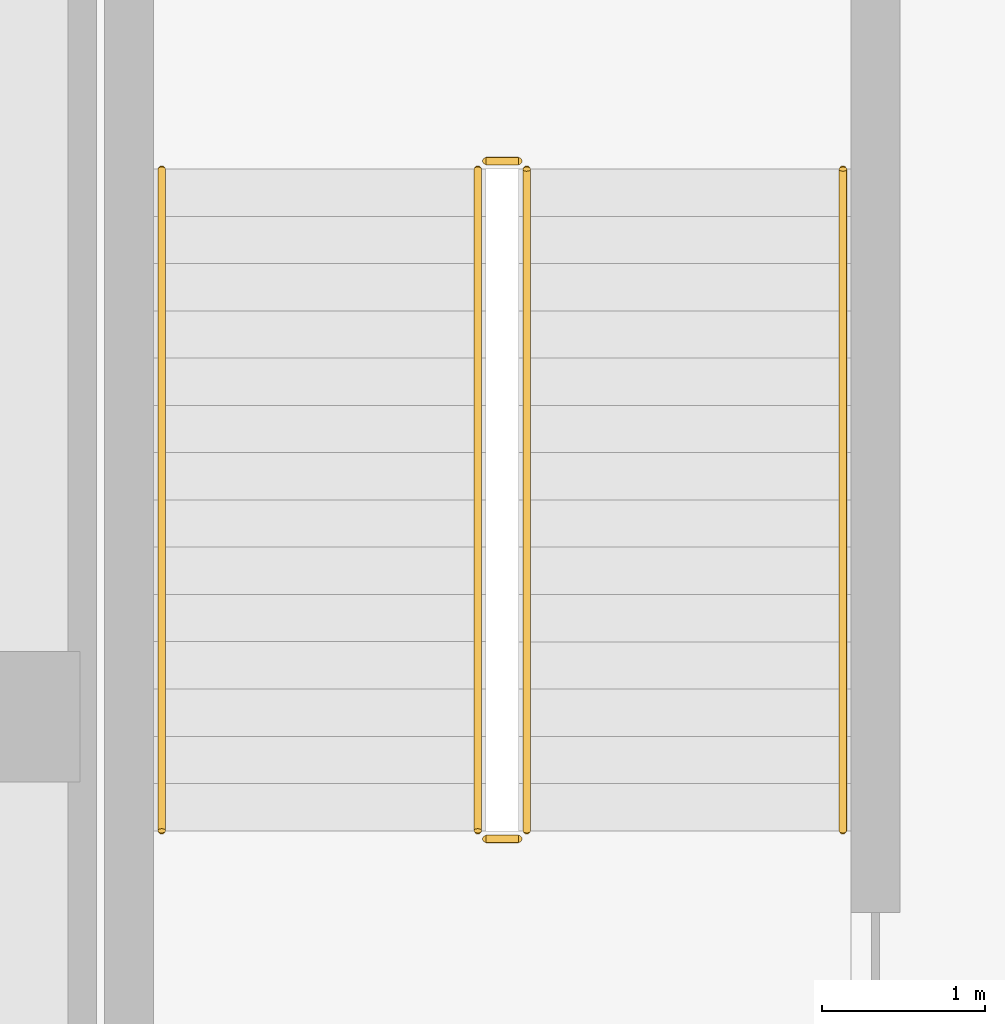
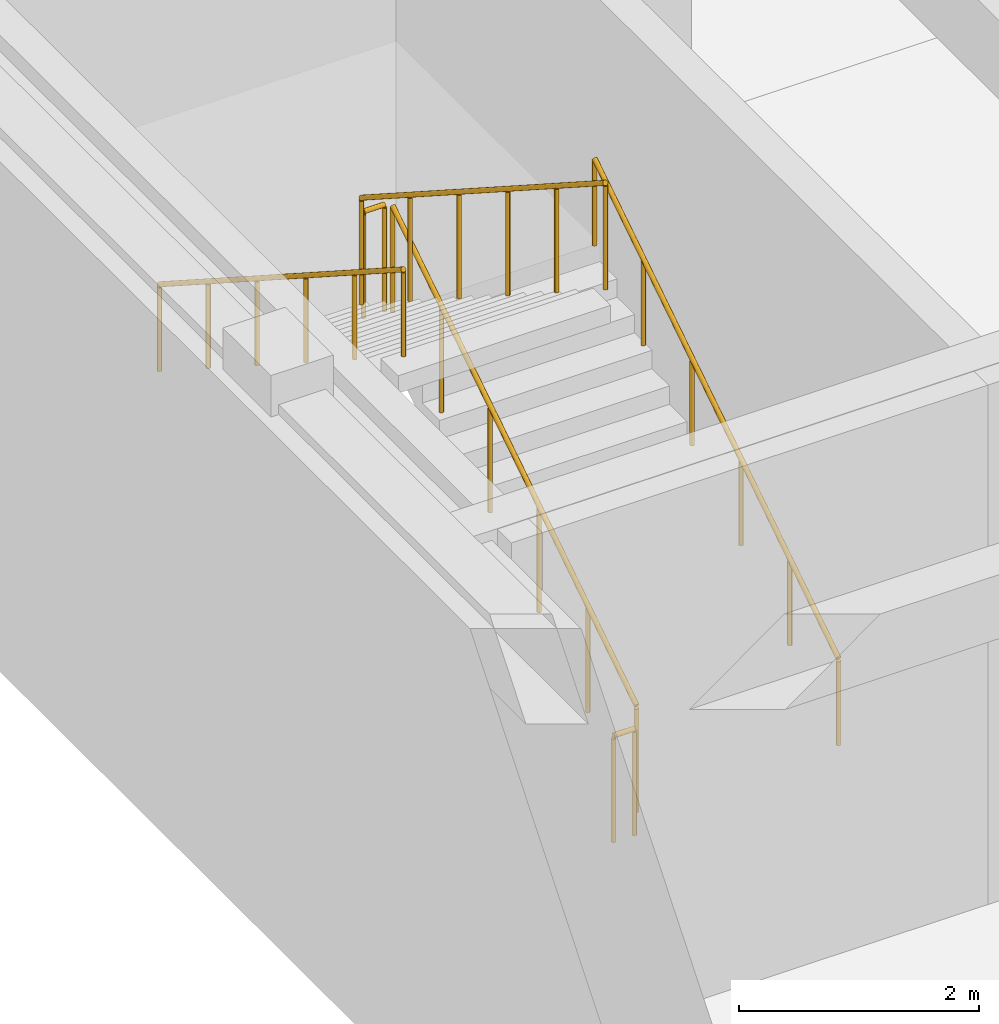
# One storey, part 16 of 19: 6 railings.
"""IFC4 building model written with IfcOpenShell, lengths in metres."""

from ifc_helpers import new_model, si_unit, direction, frame, origin, origin_2d, place, context, subcontext, project, spatial, circle, extrude, material, type_object, element, save


model = new_model("IFC4")

# Units and contexts
model_context = context("Model", 3, precision=1e-05, world=origin(), true_north=direction((0.0, 1.0)))
body_context = subcontext(model_context, "Body", "Model", "MODEL_VIEW")
ifc_project = project(units=[si_unit("LENGTHUNIT", "METRE"), si_unit("AREAUNIT", "SQUARE_METRE"), si_unit("VOLUMEUNIT", "CUBIC_METRE"), si_unit("PLANEANGLEUNIT", "RADIAN"), si_unit("MASSUNIT", "GRAM", prefix="KILO")], contexts=[model_context])

# Site, building, storey
site_placement = place(None, origin())
site = spatial("IfcSite", under=ifc_project, at=site_placement, CompositionType="ELEMENT")
building_placement = place(site_placement, origin())
building = spatial("IfcBuilding", under=site, at=building_placement, Name="Drelvath Fold Interchange", CompositionType="ELEMENT")
storey_placement = place(building_placement, frame((0.0, 0.0, -5.60009765625)))
storey = spatial("IfcBuildingStorey", under=building, at=storey_placement, Name="B1", CompositionType="ELEMENT", Elevation=-5.60009765625)

# Railings
ifc_material = material(Name="Stainless Steel 316L", Category="steel")
railing_type_1 = type_object("IfcRailingType", Name="RL-GRD1100", PredefinedType="GUARDRAIL", material=ifc_material)
railing_1_placement = place(storey_placement, frame((7.0400390625, 90.300048828125, 0.186767578125)))
element("IfcRailing", 1, at=railing_1_placement, inside=storey, type_object=railing_type_1, Name="B1 ST-05 stair guard 1", PredefinedType="GUARDRAIL", context=body_context, shape_type="SweptSolid", body=[
    extrude(circle(Radius=0.02392578125, at=origin_2d()), frame((0.0, 0.0, 1.076171875), z_axis=(0.0, 0.840872768958, 0.541232839382), x_axis=(-1.0, 0.0, 0.0)), (0.0, 0.0, 1.0), 4.828369140625),
    extrude(circle(Radius=0.02099609375, at=origin_2d()), origin(), (0.0, 0.0, 1.0), 1.052001953125),
    extrude(circle(Radius=0.02099609375, at=origin_2d()), frame((0.0, 0.81201171875, 0.522705078125)), (0.0, 0.0, 1.0), 1.052001953125),
    extrude(circle(Radius=0.02099609375, at=origin_2d()), frame((0.0, 1.6240234375, 1.04541015625)), (0.0, 0.0, 1.0), 1.052001953125),
    extrude(circle(Radius=0.02099609375, at=origin_2d()), frame((0.0, 2.43603515625, 1.56787109375)), (0.0, 0.0, 1.0), 1.052001953125),
    extrude(circle(Radius=0.02099609375, at=origin_2d()), frame((0.0, 3.248046875, 2.090576171875)), (0.0, 0.0, 1.0), 1.052001953125),
    extrude(circle(Radius=0.02099609375, at=origin_2d()), frame((0.0, 4.06005859375, 2.61328125)), (0.0, 0.0, 1.0), 1.052001953125),
])
railing_2_placement = place(storey_placement, frame((6.989990234375, 94.409912109375, 2.800048828125)))
element("IfcRailing", 2, at=railing_2_placement, inside=storey, type_object=railing_type_1, Name="B1 ST-05 stair guard 2", PredefinedType="GUARDRAIL", context=body_context, shape_type="SweptSolid", body=[
    extrude(circle(Radius=0.02392578125, at=origin_2d()), frame((0.0, 0.0, 1.076171875), z_axis=(-1.0, 0.0, 0.0), x_axis=(0.0, -1.0, 0.0)), (0.0, 0.0, 1.0), 0.199951171875),
    extrude(circle(Radius=0.02099609375, at=origin_2d()), origin(), (0.0, 0.0, 1.0), 1.052001953125),
    extrude(circle(Radius=0.02099609375, at=origin_2d()), frame((-0.199951171875, 0.0, 0.0)), (0.0, 0.0, 1.0), 1.052001953125),
])
railing_3_placement = place(storey_placement, frame((6.739990234375, 94.360107421875, 2.98681640625)))
element("IfcRailing", 3, at=railing_3_placement, inside=storey, type_object=railing_type_1, Name="B1 ST-05 stair guard 3", PredefinedType="GUARDRAIL", context=body_context, shape_type="SweptSolid", body=[
    extrude(circle(Radius=0.02392578125, at=origin_2d()), frame((0.0, 0.0, 1.076171875), z_axis=(0.0, -0.840872768958, 0.541232839382), x_axis=(1.0, 0.0, 0.0)), (0.0, 0.0, 1.0), 4.828369140625),
    extrude(circle(Radius=0.02099609375, at=origin_2d()), origin(), (0.0, 0.0, 1.0), 1.052001953125),
    extrude(circle(Radius=0.02099609375, at=origin_2d()), frame((0.0, -0.81201171875, 0.522705078125)), (0.0, 0.0, 1.0), 1.052001953125),
    extrude(circle(Radius=0.02099609375, at=origin_2d()), frame((0.0, -1.6240234375, 1.04541015625)), (0.0, 0.0, 1.0), 1.052001953125),
    extrude(circle(Radius=0.02099609375, at=origin_2d()), frame((0.0, -2.43603515625, 1.56787109375)), (0.0, 0.0, 1.0), 1.052001953125),
    extrude(circle(Radius=0.02099609375, at=origin_2d()), frame((0.0, -3.248046875, 2.090576171875)), (0.0, 0.0, 1.0), 1.052001953125),
    extrude(circle(Radius=0.02099609375, at=origin_2d()), frame((0.0, -4.06005859375, 2.61328125)), (0.0, 0.0, 1.0), 1.052001953125),
])
railing_4_placement = place(storey_placement, frame((6.989990234375, 90.25, 0.0)))
element("IfcRailing", 4, at=railing_4_placement, inside=storey, type_object=railing_type_1, Name="B1 ST-05 stair guard 4", PredefinedType="GUARDRAIL", context=body_context, shape_type="SweptSolid", body=[
    extrude(circle(Radius=0.02392578125, at=origin_2d()), frame((0.0, 0.0, 1.076171875), z_axis=(-1.0, 0.0, 0.0), x_axis=(0.0, -1.0, 0.0)), (0.0, 0.0, 1.0), 0.199951171875),
    extrude(circle(Radius=0.02099609375, at=origin_2d()), origin(), (0.0, 0.0, 1.0), 1.052001953125),
    extrude(circle(Radius=0.02099609375, at=origin_2d()), frame((-0.199951171875, 0.0, 0.0)), (0.0, 0.0, 1.0), 1.052001953125),
])
railing_type_2 = type_object("IfcRailingType", Name="RL-HND920", PredefinedType="HANDRAIL", material=ifc_material)
railing_5_placement = place(storey_placement, frame((8.97998046875, 90.300048828125, 0.186767578125)))
element("IfcRailing", 5, at=railing_5_placement, inside=storey, type_object=railing_type_2, Name="B1 ST-05 stair handrail 1", PredefinedType="HANDRAIL", context=body_context, shape_type="SweptSolid", body=[
    extrude(circle(Radius=0.02392578125, at=origin_2d()), frame((0.0, 0.0, 0.8759765625), z_axis=(0.0, 0.840872768958, 0.541232839382), x_axis=(-1.0, 0.0, 0.0)), (0.0, 0.0, 1.0), 4.828369140625),
    extrude(circle(Radius=0.02099609375, at=origin_2d()), origin(), (0.0, 0.0, 1.0), 0.851806640625),
    extrude(circle(Radius=0.02099609375, at=origin_2d()), frame((0.0, 0.81201171875, 0.522705078125)), (0.0, 0.0, 1.0), 0.851806640625),
    extrude(circle(Radius=0.02099609375, at=origin_2d()), frame((0.0, 1.6240234375, 1.04541015625)), (0.0, 0.0, 1.0), 0.851806640625),
    extrude(circle(Radius=0.02099609375, at=origin_2d()), frame((0.0, 2.43603515625, 1.56787109375)), (0.0, 0.0, 1.0), 0.851806640625),
    extrude(circle(Radius=0.02099609375, at=origin_2d()), frame((0.0, 3.248046875, 2.090576171875)), (0.0, 0.0, 1.0), 0.851806640625),
    extrude(circle(Radius=0.02099609375, at=origin_2d()), frame((0.0, 4.06005859375, 2.61328125)), (0.0, 0.0, 1.0), 0.851806640625),
])
railing_6_placement = place(storey_placement, frame((4.800048828125, 94.360107421875, 2.98681640625)))
element("IfcRailing", 6, at=railing_6_placement, inside=storey, type_object=railing_type_2, Name="B1 ST-05 stair handrail 2", PredefinedType="HANDRAIL", context=body_context, shape_type="SweptSolid", body=[
    extrude(circle(Radius=0.02392578125, at=origin_2d()), frame((0.0, 0.0, 0.8759765625), z_axis=(0.0, -0.840872768958, 0.541232839382), x_axis=(1.0, 0.0, 0.0)), (0.0, 0.0, 1.0), 4.828369140625),
    extrude(circle(Radius=0.02099609375, at=origin_2d()), origin(), (0.0, 0.0, 1.0), 0.851806640625),
    extrude(circle(Radius=0.02099609375, at=origin_2d()), frame((0.0, -0.81201171875, 0.522705078125)), (0.0, 0.0, 1.0), 0.851806640625),
    extrude(circle(Radius=0.02099609375, at=origin_2d()), frame((0.0, -1.6240234375, 1.04541015625)), (0.0, 0.0, 1.0), 0.851806640625),
    extrude(circle(Radius=0.02099609375, at=origin_2d()), frame((0.0, -2.43603515625, 1.56787109375)), (0.0, 0.0, 1.0), 0.851806640625),
    extrude(circle(Radius=0.02099609375, at=origin_2d()), frame((0.0, -3.248046875, 2.090576171875)), (0.0, 0.0, 1.0), 0.851806640625),
    extrude(circle(Radius=0.02099609375, at=origin_2d()), frame((0.0, -4.06005859375, 2.61328125)), (0.0, 0.0, 1.0), 0.851806640625),
])

save(model, "model.ifc")
